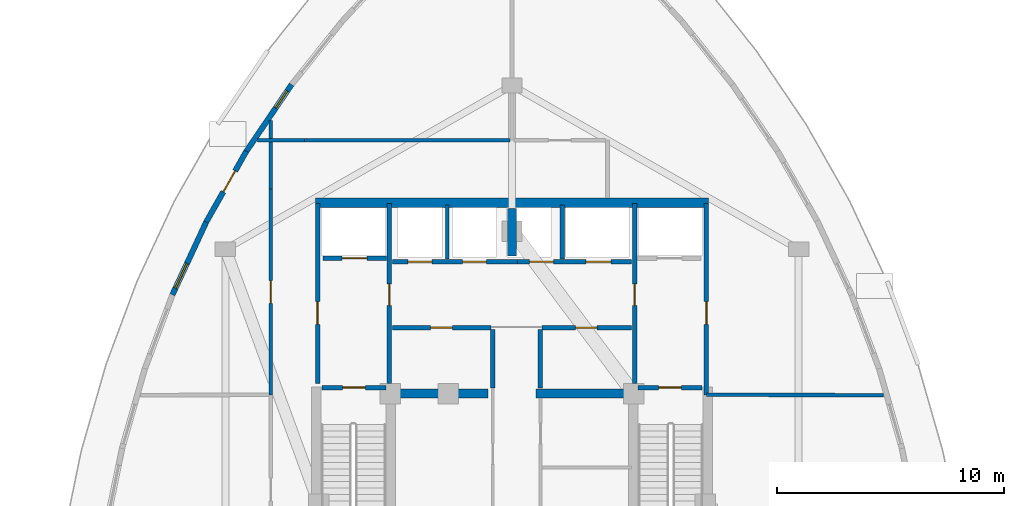
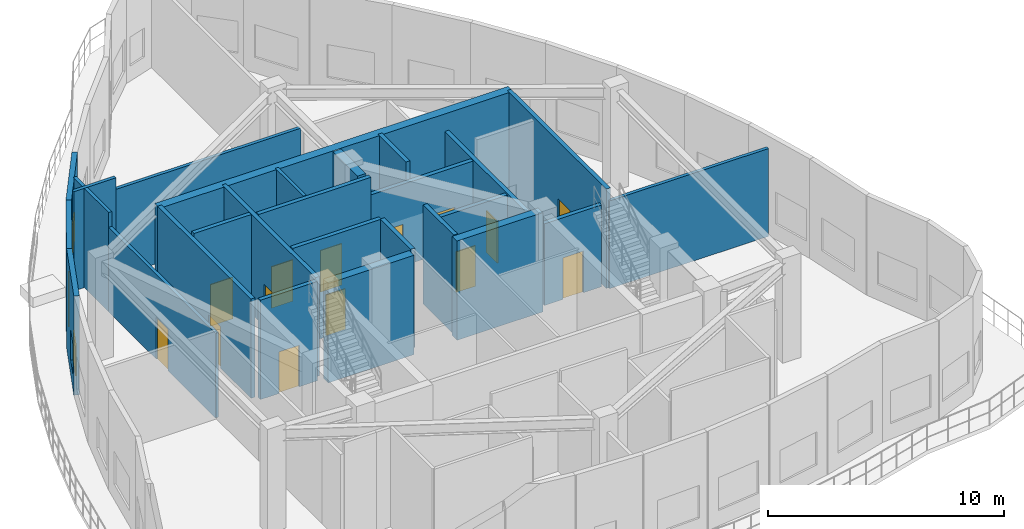
# One storey, part 5 of 11: 27 walls, 15 doors, 2 windows, 17 openings.
"""IFC4 building model written with IfcOpenShell, lengths in metres."""

import ifcopenshell
import ifcopenshell.guid

model = None  # the IFC model being written
_history = None  # IfcOwnerHistory: only IFC2X3 demands one
_inside = {}  # id of a spatial element -> (the spatial element, [elements in it])
_under = {}  # id of a project, library or spatial element -> (it, [spatial elements below it])
_declared = {}  # id of a project -> (the project, [libraries it declares])
_typed = {}  # id of a type object -> (the type object, [elements of that type])
_made_of = {}  # id of a material, layer set ... -> (it, [elements and type objects made of it])


def new_model(schema):
    """Start an empty IFC model of exactly this schema.

    Asked for "IFC4X3", IfcOpenShell would pick the latest addendum, in which some entities
    have other attributes; the version numbers below select the first issue.
    IFC2X3 requires an IfcOwnerHistory on every rooted entity: one is made here for all.
    """
    global model, _history
    if schema == "IFC4X3":
        model = ifcopenshell.file(schema_version=(4, 3, 0, 0))
    else:
        model = ifcopenshell.file(schema=schema)
    _inside.clear()
    _under.clear()
    _declared.clear()
    _typed.clear()
    _made_of.clear()
    _history = None
    if model.schema == "IFC2X3":
        org = make("IfcOrganization", Name="unknown")
        user = make(
            "IfcPersonAndOrganization",
            ThePerson=make("IfcPerson", FamilyName="unknown"),
            TheOrganization=org,
        )
        app = make(
            "IfcApplication",
            ApplicationDeveloper=org,
            Version="unknown",
            ApplicationFullName="unknown",
            ApplicationIdentifier="unknown",
        )
        _history = make(
            "IfcOwnerHistory",
            OwningUser=user,
            OwningApplication=app,
            ChangeAction="ADDED",
            CreationDate=0,
        )
    return model


def make(cls, **values):
    """One entity of the class cls with the attributes given. An attribute that is None is left unset."""
    return model.create_entity(
        cls, **{name: value for name, value in values.items() if value is not None}
    )


def rooted(cls, **values):
    """An entity with a GlobalId (a new one), such as an element, a storey or a relation."""
    return make(cls, GlobalId=ifcopenshell.guid.new(), OwnerHistory=_history, **values)


def si_unit(unit_type, name, prefix=None):
    """IfcSIUnit, for example si_unit("LENGTHUNIT", "METRE", prefix="MILLI")."""
    return make("IfcSIUnit", UnitType=unit_type, Prefix=prefix, Name=name)


def assignment(units):
    """IfcUnitAssignment: the units of a project."""
    return None if units is None else make("IfcUnitAssignment", Units=units)


def point(xyz):
    """IfcCartesianPoint."""
    return None if xyz is None else make("IfcCartesianPoint", Coordinates=xyz)


def direction(xyz):
    """IfcDirection."""
    return None if xyz is None else make("IfcDirection", DirectionRatios=xyz)


def frame(location, z_axis=None, x_axis=None):
    """IfcAxis2Placement3D, a coordinate frame: its origin and axes. An axis left out is left unset."""
    return make(
        "IfcAxis2Placement3D",
        Location=point(location),
        Axis=direction(z_axis),
        RefDirection=direction(x_axis),
    )


def frame_2d(location, x_axis=None):
    """IfcAxis2Placement2D, a coordinate frame in the plane: its origin and x axis."""
    return make(
        "IfcAxis2Placement2D", Location=point(location), RefDirection=direction(x_axis)
    )


def origin():
    """The frame at (0, 0, 0) with its axes left unset."""
    return frame((0.0, 0.0, 0.0))


def place(relative_to, where):
    """IfcLocalPlacement: puts the frame where relative to a parent placement (None: the world)."""
    return make(
        "IfcLocalPlacement", PlacementRelTo=relative_to, RelativePlacement=where
    )


def context(
    kind, dimensions, precision=None, world=None, true_north=None, identifier=None
):
    """IfcGeometricRepresentationContext, for example the 3D "Model" context."""
    return make(
        "IfcGeometricRepresentationContext",
        ContextIdentifier=identifier,
        ContextType=kind,
        CoordinateSpaceDimension=dimensions,
        Precision=precision,
        WorldCoordinateSystem=world,
        TrueNorth=true_north,
    )


def subcontext(parent, identifier, kind, view, scale=None):
    """IfcGeometricRepresentationSubContext, for example "Body" below "Model"."""
    return make(
        "IfcGeometricRepresentationSubContext",
        ContextIdentifier=identifier,
        ContextType=kind,
        ParentContext=parent,
        TargetScale=scale,
        TargetView=view,
    )


def project(units=None, contexts=None):
    """IfcProject with its units and contexts."""
    return rooted(
        "IfcProject",
        Name="project",
        RepresentationContexts=contexts,
        UnitsInContext=assignment(units),
    )


def spatial(cls, under=None, at=None, **own):
    """A site, building, storey or space (cls), placed at a placement, below another one or the project."""
    s = rooted(cls, ObjectPlacement=at, **own)
    if under is not None:
        _under.setdefault(under.id(), (under, []))[1].append(s)
    return s


def profile(cls, at=None, kind="AREA", **sizes):
    """A parametric profile (cls). Its sizes go by their IFC names, for example OverallWidth=200.0."""
    return make(cls, ProfileType=kind, Position=at, **sizes)


def rectangle(**sizes):
    """IfcRectangleProfileDef."""
    return profile("IfcRectangleProfileDef", **sizes)


def extrude(swept, where, along, depth):
    """IfcExtrudedAreaSolid: the profile swept, set in the frame where, extruded along a direction by depth."""
    return make(
        "IfcExtrudedAreaSolid",
        SweptArea=swept,
        Position=where,
        ExtrudedDirection=direction(along),
        Depth=depth,
    )


def shape(context_of_items, identifier, shape_type, items):
    """IfcShapeRepresentation: the items that make up one representation, for example the "Body"."""
    return make(
        "IfcShapeRepresentation",
        ContextOfItems=context_of_items,
        RepresentationIdentifier=identifier,
        RepresentationType=shape_type,
        Items=items,
    )


def material(Name=None, Category=None):
    """IfcMaterial."""
    return make("IfcMaterial", Name=Name, Category=Category)


def layer(
    of_material, thickness, ventilated=None, Name=None, Category=None, Priority=None
):
    """IfcMaterialLayer: one layer of a wall or slab, of a material (None: an air gap)."""
    return make(
        "IfcMaterialLayer",
        Material=of_material,
        LayerThickness=thickness,
        IsVentilated=ventilated,
        Name=Name,
        Category=Category,
        Priority=Priority,
    )


def layer_set(layers, Name=None):
    """IfcMaterialLayerSet."""
    return make("IfcMaterialLayerSet", MaterialLayers=layers, LayerSetName=Name)


def made_of(thing, what):
    """Note that an element or type object is made of a material, layer set ...; save() writes the relation."""
    if what is not None:
        _made_of.setdefault(what.id(), (what, []))[1].append(thing)
    return thing


def type_object(cls, material=None, **own):
    """A type object (cls), such as IfcWallType, which elements share."""
    return made_of(rooted(cls, **own), material)


def element(
    cls,
    number,
    at=None,
    inside=None,
    cuts=None,
    type_object=None,
    material=None,
    context=None,
    identifier="Body",
    shape_type=None,
    held_by="IfcProductDefinitionShape",
    body=None,
    shapes=None,
    **own,
):
    """One element of the class cls, such as IfcWall. Its Tag is "e" and its number.

    at: its placement. inside: the storey or other place that contains it. cuts: it is an
    opening in that element (IfcRelVoidsElement). A single representation is given by context,
    identifier, shape_type and body (its items); several are given by shapes. held_by: the class
    of the entity that holds the representations. save() writes the other relations.
    """
    e = rooted(cls, Tag="e%d" % number, ObjectPlacement=at, **own)
    if body is not None:
        shapes = [shape(context, identifier, shape_type, body)]
    if shapes is not None:
        e.Representation = make(held_by, Representations=shapes)
    if inside is not None:
        _inside.setdefault(inside.id(), (inside, []))[1].append(e)
    if cuts is not None:
        rooted(
            "IfcRelVoidsElement", RelatingBuildingElement=cuts, RelatedOpeningElement=e
        )
    if type_object is not None:
        _typed.setdefault(type_object.id(), (type_object, []))[1].append(e)
    return made_of(e, material)


def fill(opening, filler):
    """IfcRelFillsElement: the door or window that sits in an opening."""
    return rooted(
        "IfcRelFillsElement",
        RelatingOpeningElement=opening,
        RelatedBuildingElement=filler,
    )


def aggregate(whole, parts):
    """IfcRelAggregates: a whole, such as a stair, and the parts it consists of."""
    return rooted("IfcRelAggregates", RelatingObject=whole, RelatedObjects=parts)


def save(model, path):
    """Write the relations noted so far, then the file.

    IfcRelAggregates (storeys below a building ...), IfcRelContainedInSpatialStructure (elements
    in a storey), IfcRelDefinesByType, IfcRelAssociatesMaterial and IfcRelDeclares: one each for
    every whole, place, type object, material and project.
    """
    for whole, parts in _under.values():
        aggregate(whole, parts)
    for where, things in _inside.values():
        rooted(
            "IfcRelContainedInSpatialStructure",
            RelatedElements=things,
            RelatingStructure=where,
        )
    for kind, things in _typed.values():
        rooted("IfcRelDefinesByType", RelatedObjects=things, RelatingType=kind)
    for what, things in _made_of.values():
        rooted("IfcRelAssociatesMaterial", RelatedObjects=things, RelatingMaterial=what)
    for by, libraries in _declared.values():
        rooted("IfcRelDeclares", RelatingContext=by, RelatedDefinitions=libraries)
    model.write(path)


model = new_model("IFC4")

# Units and contexts
model_context = context("Model", 3, precision=1e-05, world=origin(), true_north=direction((0.0, 1.0)))
body_context = subcontext(model_context, "Body", "Model", "MODEL_VIEW")
ifc_project = project(units=[si_unit("LENGTHUNIT", "METRE"), si_unit("AREAUNIT", "SQUARE_METRE"), si_unit("VOLUMEUNIT", "CUBIC_METRE"), si_unit("PLANEANGLEUNIT", "RADIAN"), si_unit("MASSUNIT", "GRAM", prefix="KILO")], contexts=[model_context])

# Site, building, storey
site_placement = place(None, origin())
site = spatial("IfcSite", under=ifc_project, at=site_placement, CompositionType="ELEMENT")
building_placement = place(site_placement, origin())
building = spatial("IfcBuilding", under=site, at=building_placement, Name="Miruveldt Soraemaru", CompositionType="ELEMENT")
storey_placement = place(building_placement, frame((0.0, 0.0, 295.39990234375)))
storey = spatial("IfcBuildingStorey", under=building, at=storey_placement, Name="L79", CompositionType="ELEMENT", Elevation=295.39990234375)

# Walls
ifc_material_1 = material(Name="Concrete C70/85 (70 MPa)", Category="concrete")
ifc_layer_1 = layer(ifc_material_1, 0.5, Name="Concrete C70/85 (70 MPa)", Category="concrete")
ifc_layer_set_1 = layer_set([ifc_layer_1], Name="Concrete C70/85 (70 MPa)")
wall_type_1 = type_object("IfcWallType", Name="WALL-BW-500", PredefinedType="SHEAR", material=ifc_layer_set_1)
wall_1_placement = place(storey_placement, frame((44.0, 50.10009765625, 0.0), z_axis=(0.0, 0.0, 1.0), x_axis=(0.0, 1.0, 0.0)))
element("IfcWall", 1, at=wall_1_placement, inside=storey, type_object=wall_type_1, Name="L79 Core Buttress Shear Wall BN", PredefinedType="SHEAR", context=body_context, shape_type="SweptSolid", body=[
    extrude(rectangle(XDim=2.099853515625, YDim=0.39990234375, at=frame_2d((1.0498046875, 0.0))), origin(), (0.0, 0.0, 1.0), 5.14013671875),
])
for number, where, z_axis, x_axis, name in (
    (2, (38.75, 44.050048828125, 0.0), (0.0, 0.0, 1.0), (1.0, 0.0, 0.0), "L79 Core Buttress Shear Wall BW"),
    (3, (45.050048828125, 44.050048828125, 0.0), (0.0, 0.0, 1.0), (1.0, 0.0, 0.0), "L79 Core Buttress Shear Wall BE"),
):
    element("IfcWall", number, at=place(storey_placement, frame(where, z_axis=z_axis, x_axis=x_axis)), inside=storey, type_object=wall_type_1, Name=name, PredefinedType="SHEAR", context=body_context, shape_type="SweptSolid", body=[
        extrude(rectangle(XDim=4.199951171875, YDim=0.39990234375, at=frame_2d((2.10009765625, 0.0))), origin(), (0.0, 0.0, 1.0), 5.14013671875),
    ])
ifc_material_2 = material(Name="Concrete C50/60 (50 MPa)", Category="concrete")
ifc_layer_2 = layer(ifc_material_2, 0.419921875, Name="Concrete C50/60 (50 MPa)", Category="concrete")
ifc_layer_set_2 = layer_set([ifc_layer_2], Name="Concrete C50/60 (50 MPa)")
wall_type_2 = type_object("IfcWallType", Name="WALL-CW-420", PredefinedType="SHEAR", material=ifc_layer_set_2)
wall_2_placement = place(storey_placement, frame((35.35009765625, 52.449951171875, 0.0), z_axis=(0.0, 0.0, 1.0), x_axis=(1.0, 0.0, 0.0)))
element("IfcWall", 4, at=wall_2_placement, inside=storey, type_object=wall_type_2, Name="L79 Central Core Shear Wall N", PredefinedType="SHEAR", context=body_context, shape_type="SweptSolid", body=[
    extrude(rectangle(XDim=17.2998046875, YDim=0.419921875, at=frame_2d((8.64990234375, 0.0))), origin(), (0.0, 0.0, 1.0), 5.14013671875),
])

# Wall, opening, window
ifc_material_3 = material(Name="Precast concrete C45/55 (45 MPa)", Category="concrete")
ifc_layer_3 = layer(ifc_material_3, 0.239990234375, Name="Precast concrete C45/55 (45 MPa)", Category="concrete")
ifc_layer_set_3 = layer_set([ifc_layer_3], Name="Precast concrete C45/55 (45 MPa)")
wall_type_3 = type_object("IfcWallType", Name="WALL-EXT-PC240", PredefinedType="SOLIDWALL", material=ifc_layer_set_3)
wall_3_placement = place(storey_placement, frame((34.30908203125, 57.640869140625, 0.0), z_axis=(0.0, 0.0, 1.0), x_axis=(-0.560819727484, -0.827937940467, 0.0)))
wall_3 = element("IfcWall", 5, at=wall_3_placement, inside=storey, type_object=wall_type_3, Name="L79 Precast Concrete Facade Wall 9", PredefinedType="SOLIDWALL", context=body_context, shape_type="SweptSolid", body=[
    extrude(rectangle(XDim=3.609375, YDim=0.239990234375, at=frame_2d((1.8046875, 0.0))), origin(), (0.0, 0.0, 1.0), 5.14013671875),
])
opening_1_placement = place(wall_3_placement, frame((0.340087890625, 0.0, 0.780029296875)))
opening_1 = element("IfcOpeningElement", 6, at=opening_1_placement, cuts=wall_3, Name="Opening WN-7", PredefinedType="OPENING", context=body_context, shape_type="SweptSolid", body=[
    extrude(rectangle(XDim=0.89990234375, YDim=1.5, at=frame_2d((0.449951171875, 0.75))), frame((0.0, 0.1298828125, 0.0), z_axis=(0.0, -1.0, 0.0), x_axis=(1.0, 0.0, 0.0)), (0.0, 0.0, 1.0), 0.260009765625),
])
ifc_material_4 = material(Name="Triple low-e insulated glazing", Category="glass")
window_type_1 = type_object("IfcWindowType", Name="WIN-PUNCH-900x1500", PartitioningType="SINGLE_PANEL", PredefinedType="WINDOW", material=ifc_material_4)
window_1_placement = place(opening_1_placement, origin())
window_1 = element("IfcWindow", 7, at=window_1_placement, inside=storey, type_object=window_type_1, Name="L79 Punched Triple-Glazed Window 09.1", OverallHeight=1.5, OverallWidth=0.89990234375, PartitioningType="SINGLE_PANEL", PredefinedType="WINDOW", context=body_context, shape_type="SweptSolid", body=[
    extrude(rectangle(XDim=0.89990234375, YDim=1.5, at=frame_2d((0.449951171875, 0.75))), frame((0.0, 0.030029296875, 0.0), z_axis=(0.0, -1.0, 0.0), x_axis=(1.0, 0.0, 0.0)), (0.0, 0.0, 1.0), 0.06005859375),
])
fill(opening_1, window_1)

# Wall, opening, door
wall_4_placement = place(storey_placement, frame((32.32177734375, 54.7119140625, 0.0), z_axis=(0.0, 0.0, 1.0), x_axis=(-0.49340236427, -0.869801188165, 0.0)))
wall_4 = element("IfcWall", 8, at=wall_4_placement, inside=storey, type_object=wall_type_3, Name="L79 Precast Concrete Facade Wall 10", PredefinedType="SOLIDWALL", context=body_context, shape_type="SweptSolid", body=[
    extrude(rectangle(XDim=3.5869140625, YDim=0.239990234375, at=frame_2d((1.79345703125, 0.0))), origin(), (0.0, 0.0, 1.0), 5.14013671875),
])
opening_2_placement = place(wall_4_placement, frame((1.001953125, 0.0, 0.0)))
opening_2 = element("IfcOpeningElement", 9, at=opening_2_placement, cuts=wall_4, Name="Opening TD-1", PredefinedType="OPENING", context=body_context, shape_type="SweptSolid", body=[
    extrude(rectangle(XDim=1.050048828125, YDim=2.14990234375, at=frame_2d((0.52490234375, 1.074951171875))), frame((0.0, 0.1298828125, 0.0), z_axis=(0.0, -1.0, 0.0), x_axis=(1.0, 0.0, 0.0)), (0.0, 0.0, 1.0), 0.260009765625),
])
ifc_material_5 = material(Name="Anodised aluminium EN AW-6063 T6", Category="aluminium")
door_type_1 = type_object("IfcDoorType", Name="DOOR-TER-1050", OperationType="NOTDEFINED", PredefinedType="DOOR", material=ifc_material_5)
door_1_placement = place(opening_2_placement, frame((1.050048828125, 0.0, 0.0), z_axis=(0.0, 0.0, 1.0), x_axis=(-1.0, 0.0, 0.0)))
door_1 = element("IfcDoor", 10, at=door_1_placement, inside=storey, type_object=door_type_1, Name="L79 Terrace Access Glazed Door 10", OperationType="SINGLE_SWING_RIGHT", OverallHeight=2.14990234375, OverallWidth=1.050048828125, PredefinedType="DOOR", context=body_context, shape_type="SweptSolid", body=[
    extrude(rectangle(XDim=1.050048828125, YDim=2.14990234375, at=frame_2d((0.52490234375, 1.074951171875))), frame((0.0, 0.02490234375, 0.0), z_axis=(0.0, -1.0, 0.0), x_axis=(1.0, 0.0, 0.0)), (0.0, 0.0, 1.0), 0.050048828125),
])
fill(opening_2, door_1)

# Wall, opening, window
wall_5_placement = place(storey_placement, frame((30.584228515625, 51.654296875, 0.0), z_axis=(0.0, 0.0, 1.0), x_axis=(-0.422322757118, -0.906445524464, 0.0)))
wall_5 = element("IfcWall", 11, at=wall_5_placement, inside=storey, type_object=wall_type_3, Name="L79 Precast Concrete Facade Wall 11", PredefinedType="SOLIDWALL", context=body_context, shape_type="SweptSolid", body=[
    extrude(rectangle(XDim=3.587158203125, YDim=0.239990234375, at=frame_2d((1.79345703125, 0.0))), origin(), (0.0, 0.0, 1.0), 5.14013671875),
])
opening_3_placement = place(wall_5_placement, frame((2.074951171875, 0.0, 0.780029296875)))
opening_3 = element("IfcOpeningElement", 12, at=opening_3_placement, cuts=wall_5, Name="Opening WN-4", PredefinedType="OPENING", context=body_context, shape_type="SweptSolid", body=[
    extrude(rectangle(XDim=1.199951171875, YDim=1.550048828125, at=frame_2d((0.60009765625, 0.77490234375))), frame((0.0, 0.1298828125, 0.0), z_axis=(0.0, -1.0, 0.0), x_axis=(1.0, 0.0, 0.0)), (0.0, 0.0, 1.0), 0.260009765625),
])
window_type_2 = type_object("IfcWindowType", Name="WIN-PUNCH-1200x1550", PartitioningType="SINGLE_PANEL", PredefinedType="WINDOW", material=ifc_material_4)
window_2_placement = place(opening_3_placement, origin())
window_2 = element("IfcWindow", 13, at=window_2_placement, inside=storey, type_object=window_type_2, Name="L79 Punched Triple-Glazed Window 11.1", OverallHeight=1.550048828125, OverallWidth=1.199951171875, PartitioningType="SINGLE_PANEL", PredefinedType="WINDOW", context=body_context, shape_type="SweptSolid", body=[
    extrude(rectangle(XDim=1.199951171875, YDim=1.550048828125, at=frame_2d((0.60009765625, 0.77490234375))), frame((0.0, 0.030029296875, 0.0), z_axis=(0.0, -1.0, 0.0), x_axis=(1.0, 0.0, 0.0)), (0.0, 0.0, 1.0), 0.06005859375),
])
fill(opening_3, window_2)

# Wall, opening, door
ifc_material_6 = material(Name="Concrete C40/50 (40 MPa)", Category="concrete")
ifc_layer_4 = layer(ifc_material_6, 0.159912109375, Name="Concrete C40/50 (40 MPa)", Category="concrete")
ifc_layer_set_4 = layer_set([ifc_layer_4], Name="Concrete C40/50 (40 MPa)")
wall_type_4 = type_object("IfcWallType", Name="WALL-INT-RC160", PredefinedType="SOLIDWALL", material=ifc_layer_set_4)
wall_6_placement = place(storey_placement, frame((33.39990234375, 53.050048828125, 0.0), z_axis=(0.0, 0.0, 1.0), x_axis=(0.0, -1.0, 0.0)))
wall_6 = element("IfcWall", 14, at=wall_6_placement, inside=storey, type_object=wall_type_4, Name="L79 Partition Wall 15", PredefinedType="SOLIDWALL", context=body_context, shape_type="SweptSolid", body=[
    extrude(rectangle(XDim=9.050048828125, YDim=0.159912109375, at=frame_2d((4.52490234375, 0.0))), origin(), (0.0, 0.0, 1.0), 4.378173828125),
])
opening_4_placement = place(wall_6_placement, frame((4.02490234375, 0.0, 0.0)))
opening_4 = element("IfcOpeningElement", 15, at=opening_4_placement, cuts=wall_6, Name="Opening FD2A", PredefinedType="OPENING", context=body_context, shape_type="SweptSolid", body=[
    extrude(rectangle(XDim=1.0, YDim=2.14990234375, at=frame_2d((0.5, 1.074951171875))), frame((0.0, 0.08984375, 0.0), z_axis=(0.0, -1.0, 0.0), x_axis=(1.0, 0.0, 0.0)), (0.0, 0.0, 1.0), 0.179931640625),
])
door_type_2 = type_object("IfcDoorType", Name="DOOR-FD2-1000", OperationType="NOTDEFINED", PredefinedType="DOOR", material=ifc_material_5)
door_2_placement = place(opening_4_placement, origin())
door_2 = element("IfcDoor", 16, at=door_2_placement, inside=storey, type_object=door_type_2, Name="L79 West Telescope Briefing Room Door", OperationType="SINGLE_SWING_RIGHT", OverallHeight=2.14990234375, OverallWidth=1.0, PredefinedType="DOOR", context=body_context, shape_type="SweptSolid", body=[
    extrude(rectangle(XDim=1.0, YDim=2.14990234375, at=frame_2d((0.5, 1.074951171875))), frame((0.0, 0.02490234375, 0.0), z_axis=(0.0, -1.0, 0.0), x_axis=(1.0, 0.0, 0.0)), (0.0, 0.0, 1.0), 0.050048828125),
])
fill(opening_4, door_2)

# Walls
wall_7_placement = place(storey_placement, frame((43.919921875, 55.199951171875, 0.0), z_axis=(0.0, 0.0, 1.0), x_axis=(-1.0, 0.0, 0.0)))
element("IfcWall", 17, at=wall_7_placement, inside=storey, type_object=wall_type_4, Name="L79 Partition Wall 12", PredefinedType="SOLIDWALL", context=body_context, shape_type="SweptSolid", body=[
    extrude(rectangle(XDim=9.0498046875, YDim=0.159912109375, at=frame_2d((4.52490234375, 0.0))), origin(), (0.0, 0.0, 1.0), 4.5400390625),
])
wall_8_placement = place(storey_placement, frame((60.3349609375, 43.985107421875, 0.0), z_axis=(0.0, 0.0, 1.0), x_axis=(-0.999997857952, 0.002069804579, 0.0)))
element("IfcWall", 18, at=wall_8_placement, inside=storey, type_object=wall_type_4, Name="L79 Partition Wall 26", PredefinedType="SOLIDWALL", context=body_context, shape_type="SweptSolid", body=[
    extrude(rectangle(XDim=7.784912109375, YDim=0.159912109375, at=frame_2d((3.892578125, 0.0))), origin(), (0.0, 0.0, 1.0), 4.5400390625),
])
wall_9_placement = place(storey_placement, frame((33.39990234375, 56.05810546875, 0.0), z_axis=(0.0, 0.0, 1.0), x_axis=(0.0, -1.0, 0.0)))
element("IfcWall", 19, at=wall_9_placement, inside=storey, type_object=wall_type_4, Name="L79 Partition Wall 14", PredefinedType="SOLIDWALL", context=body_context, shape_type="SweptSolid", body=[
    extrude(rectangle(XDim=3.008056640625, YDim=0.159912109375, at=frame_2d((1.50390625, 0.0))), origin(), (0.0, 0.0, 1.0), 5.14013671875),
])
wall_10_placement = place(storey_placement, frame((41.14990234375, 49.97998046875, 0.0), z_axis=(0.0, 0.0, 1.0), x_axis=(0.0, 1.0, 0.0)))
element("IfcWall", 20, at=wall_10_placement, inside=storey, type_object=wall_type_4, Name="L79 Core Compartment Wall PLH-DIV1", PredefinedType="SOLIDWALL", context=body_context, shape_type="SweptSolid", body=[
    extrude(rectangle(XDim=2.3701171875, YDim=0.159912109375, at=frame_2d((1.18505859375, 0.0))), origin(), (0.0, 0.0, 1.0), 5.14013671875),
])
wall_11_placement = place(storey_placement, frame((34.8701171875, 55.199951171875, 0.0), z_axis=(0.0, 0.0, 1.0), x_axis=(-1.0, 0.0, 0.0)))
element("IfcWall", 21, at=wall_11_placement, inside=storey, type_object=wall_type_4, Name="L79 Partition Wall 13", PredefinedType="SOLIDWALL", context=body_context, shape_type="SweptSolid", body=[
    extrude(rectangle(XDim=2.051025390625, YDim=0.159912109375, at=frame_2d((1.025390625, 0.0))), origin(), (0.0, 0.0, 1.0), 5.14013671875),
])

# Wall, opening, door
ifc_layer_5 = layer(ifc_material_6, 0.199951171875, Name="Concrete C40/50 (40 MPa)", Category="concrete")
ifc_layer_set_5 = layer_set([ifc_layer_5], Name="Concrete C40/50 (40 MPa)")
wall_type_5 = type_object("IfcWallType", Name="WALL-INT-RC200", PredefinedType="SOLIDWALL", material=ifc_layer_set_5)
wall_12_placement = place(storey_placement, frame((52.550048828125, 44.001220703125, 0.0), z_axis=(0.0, 0.0, 1.0), x_axis=(0.0, 1.0, 0.0)))
wall_12 = element("IfcWall", 22, at=wall_12_placement, inside=storey, type_object=wall_type_5, Name="L79 Core Compartment Wall FFE-OUT", PredefinedType="SOLIDWALL", context=body_context, shape_type="SweptSolid", body=[
    extrude(rectangle(XDim=8.418701171875, YDim=0.199951171875, at=frame_2d((4.20947265625, 0.0))), origin(), (0.0, 0.0, 1.0), 5.14013671875),
])
opening_5_placement = place(wall_12_placement, frame((3.09912109375, 0.0, 0.0)))
opening_5 = element("IfcOpeningElement", 23, at=opening_5_placement, cuts=wall_12, Name="Opening FD1", PredefinedType="OPENING", context=body_context, shape_type="SweptSolid", body=[
    extrude(rectangle(XDim=1.0, YDim=2.14990234375, at=frame_2d((0.5, 1.074951171875))), frame((0.0, 0.10986328125, 0.0), z_axis=(0.0, -1.0, 0.0), x_axis=(1.0, 0.0, 0.0)), (0.0, 0.0, 1.0), 0.219970703125),
])
door_type_3 = type_object("IfcDoorType", Name="DOOR-FD1-1000", OperationType="NOTDEFINED", PredefinedType="DOOR", material=ifc_material_5)
door_3_placement = place(opening_5_placement, frame((1.0, 0.0, 0.0), z_axis=(0.0, 0.0, 1.0), x_axis=(-1.0, 0.0, 0.0)))
door_3 = element("IfcDoor", 24, at=door_3_placement, inside=storey, type_object=door_type_3, Name="L79 East Firefighting Lobby Exit Door", OperationType="SINGLE_SWING_RIGHT", OverallHeight=2.14990234375, OverallWidth=1.0, PredefinedType="DOOR", context=body_context, shape_type="SweptSolid", body=[
    extrude(rectangle(XDim=1.0, YDim=2.14990234375, at=frame_2d((0.5, 1.074951171875))), frame((0.0, 0.02490234375, 0.0), z_axis=(0.0, -1.0, 0.0), x_axis=(1.0, 0.0, 0.0)), (0.0, 0.0, 1.0), 0.050048828125),
])
fill(opening_5, door_3)

wall_13_placement = place(storey_placement, frame((35.449951171875, 44.5, 0.0), z_axis=(0.0, 0.0, 1.0), x_axis=(0.0, 1.0, 0.0)))
wall_13 = element("IfcWall", 25, at=wall_13_placement, inside=storey, type_object=wall_type_5, Name="L79 Core Compartment Wall FFW-OUT", PredefinedType="SOLIDWALL", context=body_context, shape_type="SweptSolid", body=[
    extrude(rectangle(XDim=7.919921875, YDim=0.199951171875, at=frame_2d((3.9599609375, 0.0))), origin(), (0.0, 0.0, 1.0), 5.14013671875),
])
opening_6_placement = place(wall_13_placement, frame((2.60009765625, 0.0, 0.0)))
opening_6 = element("IfcOpeningElement", 26, at=opening_6_placement, cuts=wall_13, Name="Opening FD1", PredefinedType="OPENING", context=body_context, shape_type="SweptSolid", body=[
    extrude(rectangle(XDim=1.0, YDim=2.14990234375, at=frame_2d((0.5, 1.074951171875))), frame((0.0, 0.10986328125, 0.0), z_axis=(0.0, -1.0, 0.0), x_axis=(1.0, 0.0, 0.0)), (0.0, 0.0, 1.0), 0.219970703125),
])
door_4_placement = place(opening_6_placement, origin())
door_4 = element("IfcDoor", 27, at=door_4_placement, inside=storey, type_object=door_type_3, Name="L79 West Firefighting Lobby Exit Door", OperationType="SINGLE_SWING_LEFT", OverallHeight=2.14990234375, OverallWidth=1.0, PredefinedType="DOOR", context=body_context, shape_type="SweptSolid", body=[
    extrude(rectangle(XDim=1.0, YDim=2.14990234375, at=frame_2d((0.5, 1.074951171875))), frame((0.0, 0.02490234375, 0.0), z_axis=(0.0, -1.0, 0.0), x_axis=(1.0, 0.0, 0.0)), (0.0, 0.0, 1.0), 0.050048828125),
])
fill(opening_6, door_4)

wall_14_placement = place(storey_placement, frame((38.60009765625, 44.5, 0.0), z_axis=(0.0, 0.0, 1.0), x_axis=(0.0, 1.0, 0.0)))
wall_14 = element("IfcWall", 28, at=wall_14_placement, inside=storey, type_object=wall_type_5, Name="L79 Core Compartment Wall FFW-IN", PredefinedType="SOLIDWALL", context=body_context, shape_type="SweptSolid", body=[
    extrude(rectangle(XDim=7.919921875, YDim=0.199951171875, at=frame_2d((3.9599609375, 0.0))), origin(), (0.0, 0.0, 1.0), 5.14013671875),
])
opening_7_placement = place(wall_14_placement, frame((3.425048828125, 0.0, 0.0)))
opening_7 = element("IfcOpeningElement", 29, at=opening_7_placement, cuts=wall_14, Name="Opening FD2", PredefinedType="OPENING", context=body_context, shape_type="SweptSolid", body=[
    extrude(rectangle(XDim=0.949951171875, YDim=2.14990234375, at=frame_2d((0.47509765625, 1.074951171875))), frame((0.0, 0.10986328125, 0.0), z_axis=(0.0, -1.0, 0.0), x_axis=(1.0, 0.0, 0.0)), (0.0, 0.0, 1.0), 0.219970703125),
])
door_type_4 = type_object("IfcDoorType", Name="DOOR-FD2-950", OperationType="NOTDEFINED", PredefinedType="DOOR", material=ifc_material_5)
door_5_placement = place(opening_7_placement, frame((0.949951171875, 0.0, 0.0), z_axis=(0.0, 0.0, 1.0), x_axis=(-1.0, 0.0, 0.0)))
door_5 = element("IfcDoor", 30, at=door_5_placement, inside=storey, type_object=door_type_4, Name="L79 Lift Lobby to West Fire Lobby Door", OperationType="SINGLE_SWING_RIGHT", OverallHeight=2.14990234375, OverallWidth=0.949951171875, PredefinedType="DOOR", context=body_context, shape_type="SweptSolid", body=[
    extrude(rectangle(XDim=0.949951171875, YDim=2.14990234375, at=frame_2d((0.47509765625, 1.074951171875))), frame((0.0, 0.02490234375, 0.0), z_axis=(0.0, -1.0, 0.0), x_axis=(1.0, 0.0, 0.0)), (0.0, 0.0, 1.0), 0.050048828125),
])
fill(opening_7, door_5)

wall_15_placement = place(storey_placement, frame((49.39990234375, 44.5, 0.0), z_axis=(0.0, 0.0, 1.0), x_axis=(0.0, 1.0, 0.0)))
wall_15 = element("IfcWall", 31, at=wall_15_placement, inside=storey, type_object=wall_type_5, Name="L79 Core Compartment Wall FFE-IN", PredefinedType="SOLIDWALL", context=body_context, shape_type="SweptSolid", body=[
    extrude(rectangle(XDim=7.919921875, YDim=0.199951171875, at=frame_2d((3.9599609375, 0.0))), origin(), (0.0, 0.0, 1.0), 4.22802734375),
])
opening_8_placement = place(wall_15_placement, frame((3.425048828125, 0.0, 0.0)))
opening_8 = element("IfcOpeningElement", 32, at=opening_8_placement, cuts=wall_15, Name="Opening FD2", PredefinedType="OPENING", context=body_context, shape_type="SweptSolid", body=[
    extrude(rectangle(XDim=0.949951171875, YDim=2.14990234375, at=frame_2d((0.47509765625, 1.074951171875))), frame((0.0, 0.10986328125, 0.0), z_axis=(0.0, -1.0, 0.0), x_axis=(1.0, 0.0, 0.0)), (0.0, 0.0, 1.0), 0.219970703125),
])
door_6_placement = place(opening_8_placement, origin())
door_6 = element("IfcDoor", 33, at=door_6_placement, inside=storey, type_object=door_type_4, Name="L79 Lift Lobby to East Fire Lobby Door", OperationType="SINGLE_SWING_LEFT", OverallHeight=2.14990234375, OverallWidth=0.949951171875, PredefinedType="DOOR", context=body_context, shape_type="SweptSolid", body=[
    extrude(rectangle(XDim=0.949951171875, YDim=2.14990234375, at=frame_2d((0.47509765625, 1.074951171875))), frame((0.0, 0.02490234375, 0.0), z_axis=(0.0, -1.0, 0.0), x_axis=(1.0, 0.0, 0.0)), (0.0, 0.0, 1.0), 0.050048828125),
])
fill(opening_8, door_6)

# Wall, openings, doors
wall_16_placement = place(storey_placement, frame((38.75, 49.85009765625, 0.0), z_axis=(0.0, 0.0, 1.0), x_axis=(1.0, 0.0, 0.0)))
wall_16 = element("IfcWall", 34, at=wall_16_placement, inside=storey, type_object=wall_type_5, Name="L79 Core Compartment Wall ROWA-SW", PredefinedType="SOLIDWALL", context=body_context, shape_type="SweptSolid", body=[
    extrude(rectangle(XDim=5.5, YDim=0.199951171875, at=frame_2d((2.75, 0.0))), origin(), (0.0, 0.0, 1.0), 5.14013671875),
])
opening_9_placement = place(wall_16_placement, frame((0.675048828125, 0.0, 0.0)))
opening_9 = element("IfcOpeningElement", 35, at=opening_9_placement, cuts=wall_16, Name="Opening LD1", PredefinedType="OPENING", context=body_context, shape_type="SweptSolid", body=[
    extrude(rectangle(XDim=1.050048828125, YDim=2.14990234375, at=frame_2d((0.52490234375, 1.074951171875))), frame((0.0, 0.10986328125, 0.0), z_axis=(0.0, -1.0, 0.0), x_axis=(1.0, 0.0, 0.0)), (0.0, 0.0, 1.0), 0.219970703125),
])
opening_10_placement = place(wall_16_placement, frame((3.074951171875, 0.0, 0.0)))
opening_10 = element("IfcOpeningElement", 36, at=opening_10_placement, cuts=wall_16, Name="Opening LD1", PredefinedType="OPENING", context=body_context, shape_type="SweptSolid", body=[
    extrude(rectangle(XDim=1.050048828125, YDim=2.14990234375, at=frame_2d((0.52490234375, 1.074951171875))), frame((0.0, 0.10986328125, 0.0), z_axis=(0.0, -1.0, 0.0), x_axis=(1.0, 0.0, 0.0)), (0.0, 0.0, 1.0), 0.219970703125),
])
door_type_5 = type_object("IfcDoorType", Name="DOOR-LD1-1050", OperationType="SLIDING_TO_LEFT", PredefinedType="DOOR", material=ifc_material_5)
door_7_placement = place(opening_9_placement, origin())
door_7 = element("IfcDoor", 37, at=door_7_placement, inside=storey, type_object=door_type_5, Name="L79 PL-H1 Landing Door", OperationType="SLIDING_TO_LEFT", OverallHeight=2.14990234375, OverallWidth=1.050048828125, PredefinedType="DOOR", context=body_context, shape_type="SweptSolid", body=[
    extrude(rectangle(XDim=1.050048828125, YDim=2.14990234375, at=frame_2d((0.52490234375, 1.074951171875))), frame((0.0, 0.02490234375, 0.0), z_axis=(0.0, -1.0, 0.0), x_axis=(1.0, 0.0, 0.0)), (0.0, 0.0, 1.0), 0.050048828125),
])
fill(opening_9, door_7)
door_8_placement = place(opening_10_placement, origin())
door_8 = element("IfcDoor", 38, at=door_8_placement, inside=storey, type_object=door_type_5, Name="L79 PL-H2 Landing Door", OperationType="SLIDING_TO_LEFT", OverallHeight=2.14990234375, OverallWidth=1.050048828125, PredefinedType="DOOR", context=body_context, shape_type="SweptSolid", body=[
    extrude(rectangle(XDim=1.050048828125, YDim=2.14990234375, at=frame_2d((0.52490234375, 1.074951171875))), frame((0.0, 0.02490234375, 0.0), z_axis=(0.0, -1.0, 0.0), x_axis=(1.0, 0.0, 0.0)), (0.0, 0.0, 1.0), 0.050048828125),
])
fill(opening_10, door_8)

wall_17_placement = place(storey_placement, frame((44.25, 49.85009765625, 0.0), z_axis=(0.0, 0.0, 1.0), x_axis=(1.0, 0.0, 0.0)))
wall_17 = element("IfcWall", 39, at=wall_17_placement, inside=storey, type_object=wall_type_5, Name="L79 Core Compartment Wall ROWA-SE", PredefinedType="SOLIDWALL", context=body_context, shape_type="SweptSolid", body=[
    extrude(rectangle(XDim=5.0, YDim=0.199951171875, at=frame_2d((2.5, 0.0))), origin(), (0.0, 0.0, 1.0), 4.22802734375),
])
opening_11_placement = place(wall_17_placement, frame((0.52490234375, 0.0, 0.0)))
opening_11 = element("IfcOpeningElement", 40, at=opening_11_placement, cuts=wall_17, Name="Opening LD1", PredefinedType="OPENING", context=body_context, shape_type="SweptSolid", body=[
    extrude(rectangle(XDim=1.050048828125, YDim=2.14990234375, at=frame_2d((0.52490234375, 1.074951171875))), frame((0.0, 0.10986328125, 0.0), z_axis=(0.0, -1.0, 0.0), x_axis=(1.0, 0.0, 0.0)), (0.0, 0.0, 1.0), 0.219970703125),
])
opening_12_placement = place(wall_17_placement, frame((3.0, 0.0, 0.0)))
opening_12 = element("IfcOpeningElement", 41, at=opening_12_placement, cuts=wall_17, Name="Opening LD2", PredefinedType="OPENING", context=body_context, shape_type="SweptSolid", body=[
    extrude(rectangle(XDim=1.10009765625, YDim=2.14990234375, at=frame_2d((0.550048828125, 1.074951171875))), frame((0.0, 0.10986328125, 0.0), z_axis=(0.0, -1.0, 0.0), x_axis=(1.0, 0.0, 0.0)), (0.0, 0.0, 1.0), 0.219970703125),
])
door_9_placement = place(opening_11_placement, origin())
door_9 = element("IfcDoor", 42, at=door_9_placement, inside=storey, type_object=door_type_5, Name="L79 PL-H3 Landing Door", OperationType="SLIDING_TO_LEFT", OverallHeight=2.14990234375, OverallWidth=1.050048828125, PredefinedType="DOOR", context=body_context, shape_type="SweptSolid", body=[
    extrude(rectangle(XDim=1.050048828125, YDim=2.14990234375, at=frame_2d((0.52490234375, 1.074951171875))), frame((0.0, 0.02490234375, 0.0), z_axis=(0.0, -1.0, 0.0), x_axis=(1.0, 0.0, 0.0)), (0.0, 0.0, 1.0), 0.050048828125),
])
fill(opening_11, door_9)
door_type_6 = type_object("IfcDoorType", Name="DOOR-LD2-1100", OperationType="SLIDING_TO_LEFT", PredefinedType="DOOR", material=ifc_material_5)
door_10_placement = place(opening_12_placement, origin())
door_10 = element("IfcDoor", 43, at=door_10_placement, inside=storey, type_object=door_type_6, Name="L79 SL-1 Landing Door", OperationType="SLIDING_TO_LEFT", OverallHeight=2.14990234375, OverallWidth=1.10009765625, PredefinedType="DOOR", context=body_context, shape_type="SweptSolid", body=[
    extrude(rectangle(XDim=1.10009765625, YDim=2.14990234375, at=frame_2d((0.550048828125, 1.074951171875))), frame((0.0, 0.02490234375, 0.0), z_axis=(0.0, -1.0, 0.0), x_axis=(1.0, 0.0, 0.0)), (0.0, 0.0, 1.0), 0.050048828125),
])
fill(opening_12, door_10)

# Wall, opening, door
wall_18_placement = place(storey_placement, frame((38.75, 46.949951171875, 0.0), z_axis=(0.0, 0.0, 1.0), x_axis=(1.0, 0.0, 0.0)))
wall_18 = element("IfcWall", 44, at=wall_18_placement, inside=storey, type_object=wall_type_5, Name="L79 Core Compartment Wall MBW-N", PredefinedType="SOLIDWALL", context=body_context, shape_type="SweptSolid", body=[
    extrude(rectangle(XDim=4.330078125, YDim=0.199951171875, at=frame_2d((2.1650390625, 0.0))), origin(), (0.0, 0.0, 1.0), 5.14013671875),
])
opening_13_placement = place(wall_18_placement, frame((1.675048828125, 0.0, 0.0)))
opening_13 = element("IfcOpeningElement", 45, at=opening_13_placement, cuts=wall_18, Name="Opening D2", PredefinedType="OPENING", context=body_context, shape_type="SweptSolid", body=[
    extrude(rectangle(XDim=0.949951171875, YDim=2.10009765625, at=frame_2d((0.47509765625, 1.050048828125))), frame((0.0, 0.10986328125, 0.0), z_axis=(0.0, -1.0, 0.0), x_axis=(1.0, 0.0, 0.0)), (0.0, 0.0, 1.0), 0.219970703125),
])
door_type_7 = type_object("IfcDoorType", Name="DOOR-INT-950", OperationType="NOTDEFINED", PredefinedType="DOOR", material=ifc_material_5)
door_11_placement = place(opening_13_placement, origin())
door_11 = element("IfcDoor", 46, at=door_11_placement, inside=storey, type_object=door_type_7, Name="L79 Fire Door", OperationType="SINGLE_SWING_LEFT", OverallHeight=2.10009765625, OverallWidth=0.949951171875, PredefinedType="DOOR", context=body_context, shape_type="SweptSolid", body=[
    extrude(rectangle(XDim=0.949951171875, YDim=2.10009765625, at=frame_2d((0.47509765625, 1.050048828125))), frame((0.0, 0.02490234375, 0.0), z_axis=(0.0, -1.0, 0.0), x_axis=(1.0, 0.0, 0.0)), (0.0, 0.0, 1.0), 0.050048828125),
])
fill(opening_13, door_11)

wall_19_placement = place(storey_placement, frame((45.320068359375, 46.949951171875, 0.0), z_axis=(0.0, 0.0, 1.0), x_axis=(1.0, 0.0, 0.0)))
wall_19 = element("IfcWall", 47, at=wall_19_placement, inside=storey, type_object=wall_type_5, Name="L79 Core Compartment Wall MBE-N", PredefinedType="SOLIDWALL", context=body_context, shape_type="SweptSolid", body=[
    extrude(rectangle(XDim=3.929931640625, YDim=0.199951171875, at=frame_2d((1.96484375, 0.0))), origin(), (0.0, 0.0, 1.0), 4.22802734375),
])
opening_14_placement = place(wall_19_placement, frame((1.47509765625, 0.0, 0.0)))
opening_14 = element("IfcOpeningElement", 48, at=opening_14_placement, cuts=wall_19, Name="Opening D2", PredefinedType="OPENING", context=body_context, shape_type="SweptSolid", body=[
    extrude(rectangle(XDim=0.949951171875, YDim=2.10009765625, at=frame_2d((0.47509765625, 1.050048828125))), frame((0.0, 0.10986328125, 0.0), z_axis=(0.0, -1.0, 0.0), x_axis=(1.0, 0.0, 0.0)), (0.0, 0.0, 1.0), 0.219970703125),
])
door_12_placement = place(opening_14_placement, origin())
door_12 = element("IfcDoor", 49, at=door_12_placement, inside=storey, type_object=door_type_7, Name="L79 Fire Door", OperationType="SINGLE_SWING_LEFT", OverallHeight=2.10009765625, OverallWidth=0.949951171875, PredefinedType="DOOR", context=body_context, shape_type="SweptSolid", body=[
    extrude(rectangle(XDim=0.949951171875, YDim=2.10009765625, at=frame_2d((0.47509765625, 1.050048828125))), frame((0.0, 0.02490234375, 0.0), z_axis=(0.0, -1.0, 0.0), x_axis=(1.0, 0.0, 0.0)), (0.0, 0.0, 1.0), 0.050048828125),
])
fill(opening_14, door_12)

wall_20_placement = place(storey_placement, frame((35.64990234375, 44.320068359375, 0.0), z_axis=(0.0, 0.0, 1.0), x_axis=(1.0, 0.0, 0.0)))
wall_20 = element("IfcWall", 50, at=wall_20_placement, inside=storey, type_object=wall_type_5, Name="L79 Core Compartment Wall ST1-N", PredefinedType="SOLIDWALL", context=body_context, shape_type="SweptSolid", body=[
    extrude(rectangle(XDim=2.800048828125, YDim=0.199951171875, at=frame_2d((1.39990234375, 0.0))), origin(), (0.0, 0.0, 1.0), 5.14013671875),
])
opening_15_placement = place(wall_20_placement, frame((0.89990234375, 0.0, 0.0)))
opening_15 = element("IfcOpeningElement", 51, at=opening_15_placement, cuts=wall_20, Name="Opening FD1", PredefinedType="OPENING", context=body_context, shape_type="SweptSolid", body=[
    extrude(rectangle(XDim=1.0, YDim=2.14990234375, at=frame_2d((0.5, 1.074951171875))), frame((0.0, 0.10986328125, 0.0), z_axis=(0.0, -1.0, 0.0), x_axis=(1.0, 0.0, 0.0)), (0.0, 0.0, 1.0), 0.219970703125),
])
door_13_placement = place(opening_15_placement, frame((1.0, 0.0, 0.0), z_axis=(0.0, 0.0, 1.0), x_axis=(-1.0, 0.0, 0.0)))
door_13 = element("IfcDoor", 52, at=door_13_placement, inside=storey, type_object=door_type_3, Name="L79 Stair ST-1 Fire Door", OperationType="SINGLE_SWING_LEFT", OverallHeight=2.14990234375, OverallWidth=1.0, PredefinedType="DOOR", context=body_context, shape_type="SweptSolid", body=[
    extrude(rectangle(XDim=1.0, YDim=2.14990234375, at=frame_2d((0.5, 1.074951171875))), frame((0.0, 0.02490234375, 0.0), z_axis=(0.0, -1.0, 0.0), x_axis=(1.0, 0.0, 0.0)), (0.0, 0.0, 1.0), 0.050048828125),
])
fill(opening_15, door_13)

wall_21_placement = place(storey_placement, frame((49.550048828125, 44.320068359375, 0.0), z_axis=(0.0, 0.0, 1.0), x_axis=(1.0, 0.0, 0.0)))
wall_21 = element("IfcWall", 53, at=wall_21_placement, inside=storey, type_object=wall_type_5, Name="L79 Core Compartment Wall ST2-N", PredefinedType="SOLIDWALL", context=body_context, shape_type="SweptSolid", body=[
    extrude(rectangle(XDim=2.800048828125, YDim=0.199951171875, at=frame_2d((1.39990234375, 0.0))), origin(), (0.0, 0.0, 1.0), 4.22802734375),
])
opening_16_placement = place(wall_21_placement, frame((0.89990234375, 0.0, 0.0)))
opening_16 = element("IfcOpeningElement", 54, at=opening_16_placement, cuts=wall_21, Name="Opening FD1", PredefinedType="OPENING", context=body_context, shape_type="SweptSolid", body=[
    extrude(rectangle(XDim=1.0, YDim=2.14990234375, at=frame_2d((0.5, 1.074951171875))), frame((0.0, 0.10986328125, 0.0), z_axis=(0.0, -1.0, 0.0), x_axis=(1.0, 0.0, 0.0)), (0.0, 0.0, 1.0), 0.219970703125),
])
door_14_placement = place(opening_16_placement, frame((1.0, 0.0, 0.0), z_axis=(0.0, 0.0, 1.0), x_axis=(-1.0, 0.0, 0.0)))
door_14 = element("IfcDoor", 55, at=door_14_placement, inside=storey, type_object=door_type_3, Name="L79 Stair ST-2 Fire Door", OperationType="SINGLE_SWING_RIGHT", OverallHeight=2.14990234375, OverallWidth=1.0, PredefinedType="DOOR", context=body_context, shape_type="SweptSolid", body=[
    extrude(rectangle(XDim=1.0, YDim=2.14990234375, at=frame_2d((0.5, 1.074951171875))), frame((0.0, 0.02490234375, 0.0), z_axis=(0.0, -1.0, 0.0), x_axis=(1.0, 0.0, 0.0)), (0.0, 0.0, 1.0), 0.050048828125),
])
fill(opening_16, door_14)

wall_22_placement = place(storey_placement, frame((35.679931640625, 50.0, 0.0), z_axis=(0.0, 0.0, 1.0), x_axis=(1.0, 0.0, 0.0)))
wall_22 = element("IfcWall", 56, at=wall_22_placement, inside=storey, type_object=wall_type_5, Name="L79 Core Compartment Wall FFL1-S", PredefinedType="SOLIDWALL", context=body_context, shape_type="SweptSolid", body=[
    extrude(rectangle(XDim=2.800048828125, YDim=0.199951171875, at=frame_2d((1.39990234375, 0.0))), origin(), (0.0, 0.0, 1.0), 5.14013671875),
])
opening_17_placement = place(wall_22_placement, frame((0.85009765625, 0.0, 0.0)))
opening_17 = element("IfcOpeningElement", 57, at=opening_17_placement, cuts=wall_22, Name="Opening LD2", PredefinedType="OPENING", context=body_context, shape_type="SweptSolid", body=[
    extrude(rectangle(XDim=1.10009765625, YDim=2.14990234375, at=frame_2d((0.550048828125, 1.074951171875))), frame((0.0, 0.10986328125, 0.0), z_axis=(0.0, -1.0, 0.0), x_axis=(1.0, 0.0, 0.0)), (0.0, 0.0, 1.0), 0.219970703125),
])
door_15_placement = place(opening_17_placement, origin())
door_15 = element("IfcDoor", 58, at=door_15_placement, inside=storey, type_object=door_type_6, Name="L79 FFL-1 Landing Door", OperationType="SLIDING_TO_LEFT", OverallHeight=2.14990234375, OverallWidth=1.10009765625, PredefinedType="DOOR", context=body_context, shape_type="SweptSolid", body=[
    extrude(rectangle(XDim=1.10009765625, YDim=2.14990234375, at=frame_2d((0.550048828125, 1.074951171875))), frame((0.0, 0.02490234375, 0.0), z_axis=(0.0, -1.0, 0.0), x_axis=(1.0, 0.0, 0.0)), (0.0, 0.0, 1.0), 0.050048828125),
])
fill(opening_17, door_15)

# Walls
for number, where, z_axis, x_axis, name in (
    (59, (43.14990234375, 44.300048828125, 0.0), (0.0, 0.0, 1.0), (0.0, 1.0, 0.0), "L79 Core Compartment Wall SP-WB"),
    (60, (45.25, 44.300048828125, 0.0), (0.0, 0.0, 1.0), (0.0, 1.0, 0.0), "L79 Core Compartment Wall SP-EB"),
):
    element("IfcWall", number, at=place(storey_placement, frame(where, z_axis=z_axis, x_axis=x_axis)), inside=storey, type_object=wall_type_5, Name=name, PredefinedType="SOLIDWALL", context=body_context, shape_type="SweptSolid", body=[
        extrude(rectangle(XDim=2.579833984375, YDim=0.199951171875, at=frame_2d((1.2900390625, 0.0))), origin(), (0.0, 0.0, 1.0), 5.14013671875),
    ])
wall_23_placement = place(storey_placement, frame((46.199951171875, 49.97998046875, 0.0), z_axis=(0.0, 0.0, 1.0), x_axis=(0.0, 1.0, 0.0)))
element("IfcWall", 61, at=wall_23_placement, inside=storey, type_object=wall_type_5, Name="L79 Core Compartment Wall PLH-SL-DIV", PredefinedType="SOLIDWALL", context=body_context, shape_type="SweptSolid", body=[
    extrude(rectangle(XDim=2.3701171875, YDim=0.199951171875, at=frame_2d((1.18505859375, 0.0))), origin(), (0.0, 0.0, 1.0), 5.14013671875),
])

save(model, "model.ifc")
